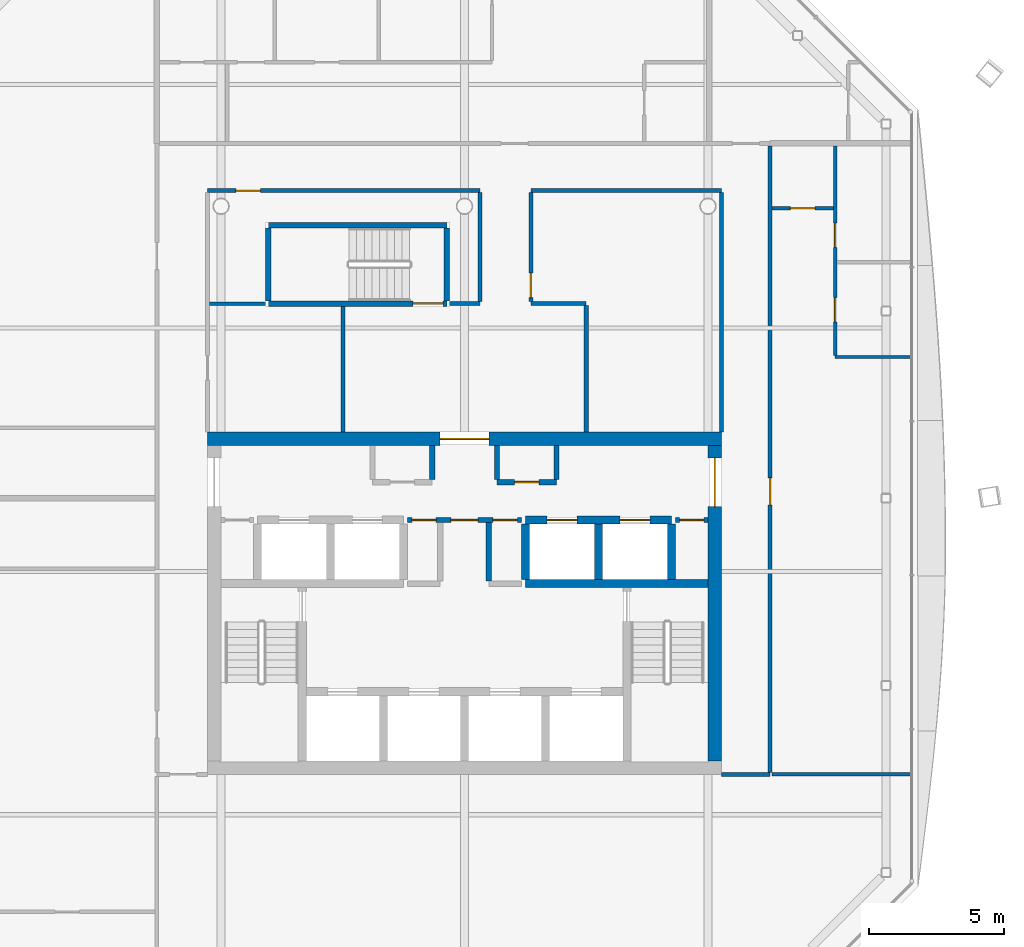
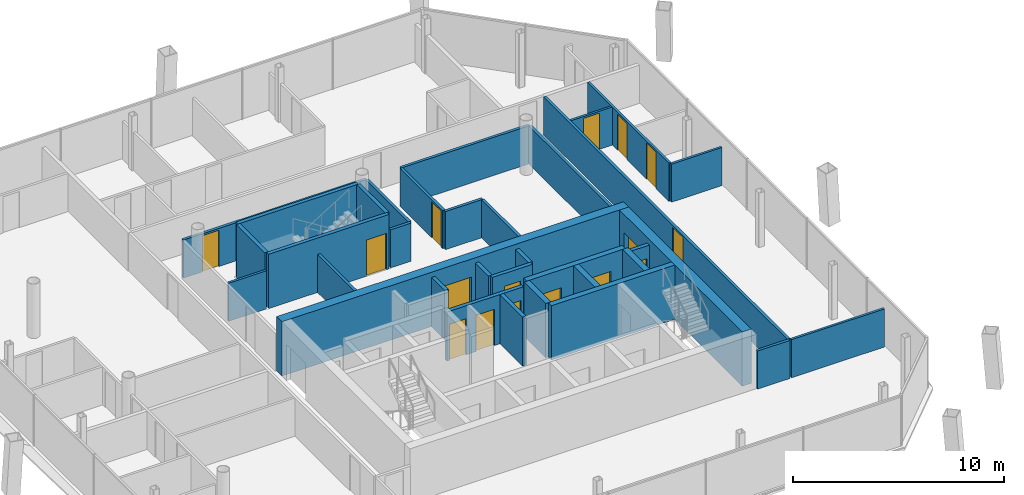
# One storey, part 14 of 19: 34 walls, 16 doors, 16 openings.
"""IFC4 building model written with IfcOpenShell, lengths in metres."""

from ifc_helpers import new_model, si_unit, direction, frame, frame_2d, origin, place, context, subcontext, project, spatial, rectangle, extrude, material, layer, layer_set, type_object, element, fill, save


model = new_model("IFC4")

# Units and contexts
model_context = context("Model", 3, precision=1e-05, world=origin(), true_north=direction((0.0, 1.0)))
body_context = subcontext(model_context, "Body", "Model", "MODEL_VIEW")
ifc_project = project(units=[si_unit("LENGTHUNIT", "METRE"), si_unit("AREAUNIT", "SQUARE_METRE"), si_unit("VOLUMEUNIT", "CUBIC_METRE"), si_unit("PLANEANGLEUNIT", "RADIAN"), si_unit("MASSUNIT", "GRAM", prefix="KILO")], contexts=[model_context])

# Site, building, storey
site_placement = place(None, origin())
site = spatial("IfcSite", under=ifc_project, at=site_placement, CompositionType="ELEMENT")
building_placement = place(site_placement, origin())
building = spatial("IfcBuilding", under=site, at=building_placement, Name="Tskaro Facet Tower", CompositionType="ELEMENT")
storey_placement = place(building_placement, frame((0.0, 0.0, 203.699951171875)))
storey = spatial("IfcBuildingStorey", under=building, at=storey_placement, Name="L52", CompositionType="ELEMENT", Elevation=203.699951171875)

# Wall
ifc_material_1 = material(Name="Concrete C60/75", Category="concrete")
ifc_layer_1 = layer(ifc_material_1, 0.300048828125, Name="Concrete C60/75")
ifc_layer_set_1 = layer_set([ifc_layer_1], Name="Concrete C60/75")
wall_type_1 = type_object("IfcWallType", Name="CORE-SHAFT", PredefinedType="SHEAR", material=ifc_layer_set_1)
wall_1_placement = place(storey_placement, frame((2.25, -4.949951171875, 0.0), z_axis=(0.0, 0.0, 1.0), x_axis=(1.0, 0.0, 0.0)))
element("IfcWall", 1, at=wall_1_placement, inside=storey, type_object=wall_type_1, Name="Shaft wall W012", PredefinedType="SHEAR", context=body_context, shape_type="SweptSolid", body=[
    extrude(rectangle(XDim=6.75, YDim=0.300048828125, at=frame_2d((3.375, 0.0))), origin(), (0.0, 0.0, 1.0), 3.150146484375),
])

# Wall, openings, doors
wall_2_placement = place(storey_placement, frame((2.25, -2.60009765625, 0.0), z_axis=(0.0, 0.0, 1.0), x_axis=(1.0, 0.0, 0.0)))
wall_2 = element("IfcWall", 2, at=wall_2_placement, inside=storey, type_object=wall_type_1, Name="Shaft wall W017", PredefinedType="SHEAR", context=body_context, shape_type="SweptSolid", body=[
    extrude(rectangle(XDim=5.39990234375, YDim=0.300048828125, at=frame_2d((2.699951171875, 0.0))), origin(), (0.0, 0.0, 1.0), 3.150146484375),
])
opening_1_placement = place(wall_2_placement, frame((0.800048828125, 0.0, 0.0)))
opening_1 = element("IfcOpeningElement", 3, at=opening_1_placement, cuts=wall_2, Name="Opening LD-HB3", PredefinedType="OPENING", context=body_context, shape_type="SweptSolid", body=[
    extrude(rectangle(XDim=1.10009765625, YDim=2.10009765625, at=frame_2d((0.550048828125, 1.050048828125))), frame((0.0, 0.159912109375, 0.0), z_axis=(0.0, -1.0, 0.0), x_axis=(1.0, 0.0, 0.0)), (0.0, 0.0, 1.0), 0.320068359375),
])
opening_2_placement = place(wall_2_placement, frame((3.5, 0.0, 0.0)))
opening_2 = element("IfcOpeningElement", 4, at=opening_2_placement, cuts=wall_2, Name="Opening LD-HB4", PredefinedType="OPENING", context=body_context, shape_type="SweptSolid", body=[
    extrude(rectangle(XDim=1.10009765625, YDim=2.10009765625, at=frame_2d((0.550048828125, 1.050048828125))), frame((0.0, 0.159912109375, 0.0), z_axis=(0.0, -1.0, 0.0), x_axis=(1.0, 0.0, 0.0)), (0.0, 0.0, 1.0), 0.320068359375),
])
ifc_material_2 = material(Name="Stainless steel", Category="steel")
door_type_1 = type_object("IfcDoorType", Name="D-LANDING", OperationType="NOTDEFINED", PredefinedType="DOOR", material=ifc_material_2)
door_1_placement = place(opening_1_placement, origin())
door_1 = element("IfcDoor", 5, at=door_1_placement, inside=storey, type_object=door_type_1, Name="Landing door HB3", OperationType="DOUBLE_DOOR_SLIDING", OverallHeight=2.10009765625, OverallWidth=1.10009765625, PredefinedType="DOOR", context=body_context, shape_type="SweptSolid", body=[
    extrude(rectangle(XDim=1.10009765625, YDim=2.10009765625, at=frame_2d((0.550048828125, 1.050048828125))), frame((0.0, 0.02490234375, 0.0), z_axis=(0.0, -1.0, 0.0), x_axis=(1.0, 0.0, 0.0)), (0.0, 0.0, 1.0), 0.050048828125),
])
fill(opening_1, door_1)
door_2_placement = place(opening_2_placement, origin())
door_2 = element("IfcDoor", 6, at=door_2_placement, inside=storey, type_object=door_type_1, Name="Landing door HB4", OperationType="DOUBLE_DOOR_SLIDING", OverallHeight=2.10009765625, OverallWidth=1.10009765625, PredefinedType="DOOR", context=body_context, shape_type="SweptSolid", body=[
    extrude(rectangle(XDim=1.10009765625, YDim=2.10009765625, at=frame_2d((0.550048828125, 1.050048828125))), frame((0.0, 0.02490234375, 0.0), z_axis=(0.0, -1.0, 0.0), x_axis=(1.0, 0.0, 0.0)), (0.0, 0.0, 1.0), 0.050048828125),
])
fill(opening_2, door_2)

# Walls
for number, where, z_axis, x_axis, name in (
    (7, (2.25, -4.800048828125, 0.0), (0.0, 0.0, 1.0), (0.0, 1.0, 0.0), "Shaft wall W071"),
    (8, (4.949951171875, -4.800048828125, 0.0), (0.0, 0.0, 1.0), (0.0, 1.0, 0.0), "Shaft wall W076"),
    (9, (7.64990234375, -4.800048828125, 0.0), (0.0, 0.0, 1.0), (0.0, 1.0, 0.0), "Shaft wall W079"),
):
    element("IfcWall", number, at=place(storey_placement, frame(where, z_axis=z_axis, x_axis=x_axis)), inside=storey, type_object=wall_type_1, Name=name, PredefinedType="SHEAR", context=body_context, shape_type="SweptSolid", body=[
        extrude(rectangle(XDim=2.050048828125, YDim=0.300048828125, at=frame_2d((1.02490234375, 0.0))), origin(), (0.0, 0.0, 1.0), 3.150146484375),
    ])

# Wall, openings, doors
ifc_material_3 = material(Name="Concrete C20/25", Category="concrete")
ifc_layer_2 = layer(ifc_material_3, 0.199951171875, Name="Concrete C20/25")
ifc_layer_set_2 = layer_set([ifc_layer_2], Name="Concrete C20/25")
wall_type_2 = type_object("IfcWallType", Name="CORE-WALL", PredefinedType="SOLIDWALL", material=ifc_layer_set_2)
wall_3_placement = place(storey_placement, frame((2.10009765625, -2.60009765625, 0.0), z_axis=(0.0, 0.0, 1.0), x_axis=(-1.0, 0.0, 0.0)))
wall_3 = element("IfcWall", 10, at=wall_3_placement, inside=storey, type_object=wall_type_2, Name="Core room wall W016", PredefinedType="SOLIDWALL", context=body_context, shape_type="SweptSolid", body=[
    extrude(rectangle(XDim=4.2001953125, YDim=0.199951171875, at=frame_2d((2.10009765625, 0.0))), origin(), (0.0, 0.0, 1.0), 2.85009765625),
])
opening_3_placement = place(wall_3_placement, frame((1.60009765625, 0.0, 0.0)))
opening_3 = element("IfcOpeningElement", 11, at=opening_3_placement, cuts=wall_3, Name="Opening FL-D1", PredefinedType="OPENING", context=body_context, shape_type="SweptSolid", body=[
    extrude(rectangle(XDim=1.0, YDim=2.10009765625, at=frame_2d((0.5, 1.050048828125))), frame((0.0, 0.10986328125, 0.0), z_axis=(0.0, -1.0, 0.0), x_axis=(1.0, 0.0, 0.0)), (0.0, 0.0, 1.0), 0.219970703125),
])
opening_4_placement = place(wall_3_placement, frame((3.14990234375, 0.0, 0.0)))
opening_4 = element("IfcOpeningElement", 12, at=opening_4_placement, cuts=wall_3, Name="Opening T15-D08", PredefinedType="OPENING", context=body_context, shape_type="SweptSolid", body=[
    extrude(rectangle(XDim=0.89990234375, YDim=2.10009765625, at=frame_2d((0.449951171875, 1.050048828125))), frame((0.0, 0.10986328125, 0.0), z_axis=(0.0, -1.0, 0.0), x_axis=(1.0, 0.0, 0.0)), (0.0, 0.0, 1.0), 0.219970703125),
])
opening_5_placement = place(wall_3_placement, frame((0.14990234375, 0.0, 0.0)))
opening_5 = element("IfcOpeningElement", 13, at=opening_5_placement, cuts=wall_3, Name="Opening T15-D09", PredefinedType="OPENING", context=body_context, shape_type="SweptSolid", body=[
    extrude(rectangle(XDim=0.89990234375, YDim=2.10009765625, at=frame_2d((0.449951171875, 1.050048828125))), frame((0.0, 0.10986328125, 0.0), z_axis=(0.0, -1.0, 0.0), x_axis=(1.0, 0.0, 0.0)), (0.0, 0.0, 1.0), 0.219970703125),
])
ifc_material_4 = material(Name="Steel", Category="steel")
door_type_2 = type_object("IfcDoorType", Name="D-LOBBY", OperationType="NOTDEFINED", PredefinedType="DOOR", material=ifc_material_4)
door_3_placement = place(opening_3_placement, origin())
door_3 = element("IfcDoor", 14, at=door_3_placement, inside=storey, type_object=door_type_2, Name="Lobby door FL", OperationType="SINGLE_SWING_RIGHT", OverallHeight=2.10009765625, OverallWidth=1.0, PredefinedType="DOOR", context=body_context, shape_type="SweptSolid", body=[
    extrude(rectangle(XDim=1.0, YDim=2.10009765625, at=frame_2d((0.5, 1.050048828125))), frame((0.0, 0.02490234375, 0.0), z_axis=(0.0, -1.0, 0.0), x_axis=(1.0, 0.0, 0.0)), (0.0, 0.0, 1.0), 0.050048828125),
])
fill(opening_3, door_3)
ifc_material_5 = material(Name="Timber", Category="wood")
door_type_3 = type_object("IfcDoorType", Name="D-ROOM", OperationType="NOTDEFINED", PredefinedType="DOOR", material=ifc_material_5)
door_4_placement = place(opening_4_placement, origin())
door_4 = element("IfcDoor", 15, at=door_4_placement, inside=storey, type_object=door_type_3, Name="Door T15-D08", OperationType="SINGLE_SWING_RIGHT", OverallHeight=2.10009765625, OverallWidth=0.89990234375, PredefinedType="DOOR", context=body_context, shape_type="SweptSolid", body=[
    extrude(rectangle(XDim=0.89990234375, YDim=2.10009765625, at=frame_2d((0.449951171875, 1.050048828125))), frame((0.0, 0.02490234375, 0.0), z_axis=(0.0, -1.0, 0.0), x_axis=(1.0, 0.0, 0.0)), (0.0, 0.0, 1.0), 0.050048828125),
])
fill(opening_4, door_4)
door_5_placement = place(opening_5_placement, origin())
door_5 = element("IfcDoor", 16, at=door_5_placement, inside=storey, type_object=door_type_3, Name="Door T15-D09", OperationType="SINGLE_SWING_RIGHT", OverallHeight=2.10009765625, OverallWidth=0.89990234375, PredefinedType="DOOR", context=body_context, shape_type="SweptSolid", body=[
    extrude(rectangle(XDim=0.89990234375, YDim=2.10009765625, at=frame_2d((0.449951171875, 1.050048828125))), frame((0.0, 0.02490234375, 0.0), z_axis=(0.0, -1.0, 0.0), x_axis=(1.0, 0.0, 0.0)), (0.0, 0.0, 1.0), 0.050048828125),
])
fill(opening_5, door_5)

# Wall, opening, door
wall_4_placement = place(storey_placement, frame((9.0, -2.60009765625, 0.0), z_axis=(0.0, 0.0, 1.0), x_axis=(-1.0, 0.0, 0.0)))
wall_4 = element("IfcWall", 17, at=wall_4_placement, inside=storey, type_object=wall_type_2, Name="Core room wall W018", PredefinedType="SOLIDWALL", context=body_context, shape_type="SweptSolid", body=[
    extrude(rectangle(XDim=1.199951171875, YDim=0.199951171875, at=frame_2d((0.60009765625, 0.0))), origin(), (0.0, 0.0, 1.0), 2.85009765625),
])
opening_6_placement = place(wall_4_placement, frame((0.14990234375, 0.0, 0.0)))
opening_6 = element("IfcOpeningElement", 18, at=opening_6_placement, cuts=wall_4, Name="Opening T15-D10", PredefinedType="OPENING", context=body_context, shape_type="SweptSolid", body=[
    extrude(rectangle(XDim=0.89990234375, YDim=2.10009765625, at=frame_2d((0.449951171875, 1.050048828125))), frame((0.0, 0.10986328125, 0.0), z_axis=(0.0, -1.0, 0.0), x_axis=(1.0, 0.0, 0.0)), (0.0, 0.0, 1.0), 0.219970703125),
])
door_6_placement = place(opening_6_placement, origin())
door_6 = element("IfcDoor", 19, at=door_6_placement, inside=storey, type_object=door_type_3, Name="Door T15-D10", OperationType="SINGLE_SWING_RIGHT", OverallHeight=2.10009765625, OverallWidth=0.89990234375, PredefinedType="DOOR", context=body_context, shape_type="SweptSolid", body=[
    extrude(rectangle(XDim=0.89990234375, YDim=2.10009765625, at=frame_2d((0.449951171875, 1.050048828125))), frame((0.0, 0.02490234375, 0.0), z_axis=(0.0, -1.0, 0.0), x_axis=(1.0, 0.0, 0.0)), (0.0, 0.0, 1.0), 0.050048828125),
])
fill(opening_6, door_6)

wall_5_placement = place(storey_placement, frame((1.199951171875, -1.199951171875, 0.0), z_axis=(0.0, 0.0, 1.0), x_axis=(1.0, 0.0, 0.0)))
wall_5 = element("IfcWall", 20, at=wall_5_placement, inside=storey, type_object=wall_type_2, Name="Core room wall W022", PredefinedType="SOLIDWALL", context=body_context, shape_type="SweptSolid", body=[
    extrude(rectangle(XDim=2.199951171875, YDim=0.199951171875, at=frame_2d((1.10009765625, 0.0))), origin(), (0.0, 0.0, 1.0), 2.85009765625),
])
opening_7_placement = place(wall_5_placement, frame((0.64990234375, 0.0, 0.0)))
opening_7 = element("IfcOpeningElement", 21, at=opening_7_placement, cuts=wall_5, Name="Opening T15-D14", PredefinedType="OPENING", context=body_context, shape_type="SweptSolid", body=[
    extrude(rectangle(XDim=0.89990234375, YDim=2.10009765625, at=frame_2d((0.449951171875, 1.050048828125))), frame((0.0, 0.10986328125, 0.0), z_axis=(0.0, -1.0, 0.0), x_axis=(1.0, 0.0, 0.0)), (0.0, 0.0, 1.0), 0.219970703125),
])
door_7_placement = place(opening_7_placement, origin())
door_7 = element("IfcDoor", 22, at=door_7_placement, inside=storey, type_object=door_type_3, Name="Door T15-D14", OperationType="SINGLE_SWING_LEFT", OverallHeight=2.10009765625, OverallWidth=0.89990234375, PredefinedType="DOOR", context=body_context, shape_type="SweptSolid", body=[
    extrude(rectangle(XDim=0.89990234375, YDim=2.10009765625, at=frame_2d((0.449951171875, 1.050048828125))), frame((0.0, 0.02490234375, 0.0), z_axis=(0.0, -1.0, 0.0), x_axis=(1.0, 0.0, 0.0)), (0.0, 0.0, 1.0), 0.050048828125),
])
fill(opening_7, door_7)

# Walls
wall_6_placement = place(storey_placement, frame((-1.199951171875, -1.10009765625, 0.0), z_axis=(0.0, 0.0, 1.0), x_axis=(0.0, 1.0, 0.0)))
element("IfcWall", 23, at=wall_6_placement, inside=storey, type_object=wall_type_2, Name="Core room wall W062", PredefinedType="SOLIDWALL", context=body_context, shape_type="SweptSolid", body=[
    extrude(rectangle(XDim=1.25, YDim=0.199951171875, at=frame_2d((0.625, 0.0))), origin(), (0.0, 0.0, 1.0), 2.85009765625),
])
wall_7_placement = place(storey_placement, frame((0.89990234375, -4.85009765625, 0.0), z_axis=(0.0, 0.0, 1.0), x_axis=(0.0, 1.0, 0.0)))
element("IfcWall", 24, at=wall_7_placement, inside=storey, type_object=wall_type_2, Name="Core room wall W067", PredefinedType="SOLIDWALL", context=body_context, shape_type="SweptSolid", body=[
    extrude(rectangle(XDim=2.150146484375, YDim=0.199951171875, at=frame_2d((1.0751953125, 0.0))), origin(), (0.0, 0.0, 1.0), 2.85009765625),
])
for number, where, z_axis, x_axis, name in (
    (25, (1.199951171875, -1.10009765625, 0.0), (0.0, 0.0, 1.0), (0.0, 1.0, 0.0), "Core room wall W070"),
    (26, (3.39990234375, -1.10009765625, 0.0), (0.0, 0.0, 1.0), (0.0, 1.0, 0.0), "Core room wall W074"),
):
    element("IfcWall", number, at=place(storey_placement, frame(where, z_axis=z_axis, x_axis=x_axis)), inside=storey, type_object=wall_type_2, Name=name, PredefinedType="SOLIDWALL", context=body_context, shape_type="SweptSolid", body=[
        extrude(rectangle(XDim=1.25, YDim=0.199951171875, at=frame_2d((0.625, 0.0))), origin(), (0.0, 0.0, 1.0), 2.85009765625),
    ])

# Wall, opening, door
ifc_material_6 = material(Name="Concrete C40/50", Category="concrete")
ifc_layer_3 = layer(ifc_material_6, 0.5, Name="Concrete C40/50")
ifc_layer_set_3 = layer_set([ifc_layer_3], Name="Concrete C40/50")
wall_type_3 = type_object("IfcWallType", Name="Core wall 500", PredefinedType="SHEAR", material=ifc_layer_set_3)
wall_8_placement = place(storey_placement, frame((-9.5, 0.39990234375, 0.0), z_axis=(0.0, 0.0, 1.0), x_axis=(1.0, 0.0, 0.0)))
wall_8 = element("IfcWall", 27, at=wall_8_placement, inside=storey, type_object=wall_type_3, Name="Core wall CW-Z3N", PredefinedType="SHEAR", context=body_context, shape_type="SweptSolid", body=[
    extrude(rectangle(XDim=19.0, YDim=0.5, at=frame_2d((9.5, 0.0))), origin(), (0.0, 0.0, 1.0), 3.150146484375),
])
opening_8_placement = place(wall_8_placement, frame((8.60009765625, 0.0, 0.0)))
opening_8 = element("IfcOpeningElement", 28, at=opening_8_placement, cuts=wall_8, Name="Opening T15-D17", PredefinedType="OPENING", context=body_context, shape_type="SweptSolid", body=[
    extrude(rectangle(XDim=1.800048828125, YDim=2.10009765625, at=frame_2d((0.89990234375, 1.050048828125))), frame((0.0, 0.260009765625, 0.0), z_axis=(0.0, -1.0, 0.0), x_axis=(1.0, 0.0, 0.0)), (0.0, 0.0, 1.0), 0.52001953125),
])
door_type_4 = type_object("IfcDoorType", Name="D-CORE-PAIR", OperationType="NOTDEFINED", PredefinedType="DOOR", material=ifc_material_4)
door_8_placement = place(opening_8_placement, origin())
door_8 = element("IfcDoor", 29, at=door_8_placement, inside=storey, type_object=door_type_4, Name="Door T15-D17", OperationType="DOUBLE_DOOR_SINGLE_SWING", OverallHeight=2.10009765625, OverallWidth=1.800048828125, PredefinedType="DOOR", context=body_context, shape_type="SweptSolid", body=[
    extrude(rectangle(XDim=1.800048828125, YDim=2.10009765625, at=frame_2d((0.89990234375, 1.050048828125))), frame((0.0, 0.02490234375, 0.0), z_axis=(0.0, -1.0, 0.0), x_axis=(1.0, 0.0, 0.0)), (0.0, 0.0, 1.0), 0.050048828125),
])
fill(opening_8, door_8)

wall_9_placement = place(storey_placement, frame((9.25, -11.5, 0.0), z_axis=(0.0, 0.0, 1.0), x_axis=(0.0, 1.0, 0.0)))
wall_9 = element("IfcWall", 30, at=wall_9_placement, inside=storey, type_object=wall_type_3, Name="Core wall CW-Z3E", PredefinedType="SHEAR", context=body_context, shape_type="SweptSolid", body=[
    extrude(rectangle(XDim=11.64990234375, YDim=0.5, at=frame_2d((5.824951171875, 0.0))), origin(), (0.0, 0.0, 1.0), 3.150146484375),
])
opening_9_placement = place(wall_9_placement, frame((9.39990234375, 0.0, 0.0)))
opening_9 = element("IfcOpeningElement", 31, at=opening_9_placement, cuts=wall_9, Name="Opening T15-D15", PredefinedType="OPENING", context=body_context, shape_type="SweptSolid", body=[
    extrude(rectangle(XDim=1.800048828125, YDim=2.10009765625, at=frame_2d((0.89990234375, 1.050048828125))), frame((0.0, 0.260009765625, 0.0), z_axis=(0.0, -1.0, 0.0), x_axis=(1.0, 0.0, 0.0)), (0.0, 0.0, 1.0), 0.52001953125),
])
door_9_placement = place(opening_9_placement, origin())
door_9 = element("IfcDoor", 32, at=door_9_placement, inside=storey, type_object=door_type_4, Name="Door T15-D15", OperationType="DOUBLE_DOOR_SINGLE_SWING", OverallHeight=2.10009765625, OverallWidth=1.800048828125, PredefinedType="DOOR", context=body_context, shape_type="SweptSolid", body=[
    extrude(rectangle(XDim=1.800048828125, YDim=2.10009765625, at=frame_2d((0.89990234375, 1.050048828125))), frame((0.0, 0.02490234375, 0.0), z_axis=(0.0, -1.0, 0.0), x_axis=(1.0, 0.0, 0.0)), (0.0, 0.0, 1.0), 0.050048828125),
])
fill(opening_9, door_9)

# Walls
ifc_material_7 = material(Name="Gypsum board on steel studs", Category="steel")
ifc_layer_4 = layer(ifc_material_7, 0.125, Name="Gypsum board on steel studs")
ifc_layer_set_4 = layer_set([ifc_layer_4], Name="Gypsum board on steel studs")
wall_type_4 = type_object("IfcWallType", Name="PART", PredefinedType="PARTITIONING", material=ifc_layer_set_4)
wall_10_placement = place(storey_placement, frame((11.375, -12.0, 0.0), z_axis=(0.0, 0.0, 1.0), x_axis=(1.0, 0.0, 0.0)))
element("IfcWall", 33, at=wall_10_placement, inside=storey, type_object=wall_type_4, Name="Partition W004", PredefinedType="PARTITIONING", context=body_context, shape_type="SweptSolid", body=[
    extrude(rectangle(XDim=5.10791015625, YDim=0.125, at=frame_2d((2.553955078125, 0.0))), origin(), (0.0, 0.0, 1.0), 2.2099609375),
])
wall_11_placement = place(storey_placement, frame((13.699951171875, 3.425048828125, 0.0), z_axis=(0.0, 0.0, 1.0), x_axis=(1.0, 0.0, 0.0)))
element("IfcWall", 34, at=wall_11_placement, inside=storey, type_object=wall_type_4, Name="Partition W025", PredefinedType="PARTITIONING", context=body_context, shape_type="SweptSolid", body=[
    extrude(rectangle(XDim=2.782958984375, YDim=0.125, at=frame_2d((1.3916015625, 0.0))), origin(), (0.0, 0.0, 1.0), 2.2099609375),
])
wall_12_placement = place(storey_placement, frame((-9.425048828125, 5.39990234375, 0.0), z_axis=(0.0, 0.0, 1.0), x_axis=(1.0, 0.0, 0.0)))
element("IfcWall", 35, at=wall_12_placement, inside=storey, type_object=wall_type_4, Name="Partition W028", PredefinedType="PARTITIONING", context=body_context, shape_type="SweptSolid", body=[
    extrude(rectangle(XDim=2.074951171875, YDim=0.125, at=frame_2d((1.03759765625, 0.0))), origin(), (0.0, 0.0, 1.0), 2.2099609375),
])

# Wall, opening, door
wall_13_placement = place(storey_placement, frame((11.375, 8.925048828125, 0.0), z_axis=(0.0, 0.0, 1.0), x_axis=(1.0, 0.0, 0.0)))
wall_13 = element("IfcWall", 36, at=wall_13_placement, inside=storey, type_object=wall_type_4, Name="Partition W034", PredefinedType="PARTITIONING", context=body_context, shape_type="SweptSolid", body=[
    extrude(rectangle(XDim=2.262451171875, YDim=0.125, at=frame_2d((1.13134765625, 0.0))), origin(), (0.0, 0.0, 1.0), 2.2099609375),
])
opening_10_placement = place(wall_13_placement, frame((0.675048828125, 0.0, 0.0)))
opening_10 = element("IfcOpeningElement", 37, at=opening_10_placement, cuts=wall_13, Name="Opening T15-D25", PredefinedType="OPENING", context=body_context, shape_type="SweptSolid", body=[
    extrude(rectangle(XDim=0.89990234375, YDim=2.10009765625, at=frame_2d((0.449951171875, 1.050048828125))), frame((0.0, 0.072509765625, 0.0), z_axis=(0.0, -1.0, 0.0), x_axis=(1.0, 0.0, 0.0)), (0.0, 0.0, 1.0), 0.14501953125),
])
door_10_placement = place(opening_10_placement, origin())
door_10 = element("IfcDoor", 38, at=door_10_placement, inside=storey, type_object=door_type_3, Name="Door T15-D25", OperationType="SINGLE_SWING_LEFT", OverallHeight=2.10009765625, OverallWidth=0.89990234375, PredefinedType="DOOR", context=body_context, shape_type="SweptSolid", body=[
    extrude(rectangle(XDim=0.89990234375, YDim=2.10009765625, at=frame_2d((0.449951171875, 1.050048828125))), frame((0.0, 0.02490234375, 0.0), z_axis=(0.0, -1.0, 0.0), x_axis=(1.0, 0.0, 0.0)), (0.0, 0.0, 1.0), 0.050048828125),
])
fill(opening_10, door_10)

# Wall, openings, doors
wall_14_placement = place(storey_placement, frame((13.699951171875, 11.22509765625, 0.0), z_axis=(0.0, 0.0, 1.0), x_axis=(0.0, -1.0, 0.0)))
wall_14 = element("IfcWall", 39, at=wall_14_placement, inside=storey, type_object=wall_type_4, Name="Partition W084", PredefinedType="PARTITIONING", context=body_context, shape_type="SweptSolid", body=[
    extrude(rectangle(XDim=7.737548828125, YDim=0.125, at=frame_2d((3.86865234375, 0.0))), origin(), (0.0, 0.0, 1.0), 2.2099609375),
])
opening_11_placement = place(wall_14_placement, frame((5.60009765625, 0.0, 0.0)))
opening_11 = element("IfcOpeningElement", 40, at=opening_11_placement, cuts=wall_14, Name="Opening T15-D21", PredefinedType="OPENING", context=body_context, shape_type="SweptSolid", body=[
    extrude(rectangle(XDim=0.89990234375, YDim=2.10009765625, at=frame_2d((0.449951171875, 1.050048828125))), frame((0.0, 0.072509765625, 0.0), z_axis=(0.0, -1.0, 0.0), x_axis=(1.0, 0.0, 0.0)), (0.0, 0.0, 1.0), 0.14501953125),
])
opening_12_placement = place(wall_14_placement, frame((2.85009765625, 0.0, 0.0)))
opening_12 = element("IfcOpeningElement", 41, at=opening_12_placement, cuts=wall_14, Name="Opening T15-D24", PredefinedType="OPENING", context=body_context, shape_type="SweptSolid", body=[
    extrude(rectangle(XDim=0.89990234375, YDim=2.10009765625, at=frame_2d((0.449951171875, 1.050048828125))), frame((0.0, 0.072509765625, 0.0), z_axis=(0.0, -1.0, 0.0), x_axis=(1.0, 0.0, 0.0)), (0.0, 0.0, 1.0), 0.14501953125),
])
door_11_placement = place(opening_11_placement, origin())
door_11 = element("IfcDoor", 42, at=door_11_placement, inside=storey, type_object=door_type_3, Name="Door T15-D21", OperationType="SINGLE_SWING_RIGHT", OverallHeight=2.10009765625, OverallWidth=0.89990234375, PredefinedType="DOOR", context=body_context, shape_type="SweptSolid", body=[
    extrude(rectangle(XDim=0.89990234375, YDim=2.10009765625, at=frame_2d((0.449951171875, 1.050048828125))), frame((0.0, 0.02490234375, 0.0), z_axis=(0.0, -1.0, 0.0), x_axis=(1.0, 0.0, 0.0)), (0.0, 0.0, 1.0), 0.050048828125),
])
fill(opening_11, door_11)
door_12_placement = place(opening_12_placement, origin())
door_12 = element("IfcDoor", 43, at=door_12_placement, inside=storey, type_object=door_type_3, Name="Door T15-D24", OperationType="SINGLE_SWING_LEFT", OverallHeight=2.10009765625, OverallWidth=0.89990234375, PredefinedType="DOOR", context=body_context, shape_type="SweptSolid", body=[
    extrude(rectangle(XDim=0.89990234375, YDim=2.10009765625, at=frame_2d((0.449951171875, 1.050048828125))), frame((0.0, 0.02490234375, 0.0), z_axis=(0.0, -1.0, 0.0), x_axis=(1.0, 0.0, 0.0)), (0.0, 0.0, 1.0), 0.050048828125),
])
fill(opening_12, door_12)

# Walls
ifc_layer_5 = layer(ifc_material_7, 0.14990234375, Name="Gypsum board on steel studs")
ifc_layer_set_5 = layer_set([ifc_layer_5], Name="Gypsum board on steel studs")
wall_type_5 = type_object("IfcWallType", Name="PART-CORR", PredefinedType="PARTITIONING", material=ifc_layer_set_5)
wall_15_placement = place(storey_placement, frame((9.5, -12.0, 0.0), z_axis=(0.0, 0.0, 1.0), x_axis=(1.0, 0.0, 0.0)))
element("IfcWall", 44, at=wall_15_placement, inside=storey, type_object=wall_type_5, Name="Corridor wall W003", PredefinedType="PARTITIONING", context=body_context, shape_type="SweptSolid", body=[
    extrude(rectangle(XDim=1.800048828125, YDim=0.14990234375, at=frame_2d((0.89990234375, 0.0))), origin(), (0.0, 0.0, 1.0), 2.2099609375),
])
wall_16_placement = place(storey_placement, frame((-0.550048828125, 5.39990234375, 0.0), z_axis=(0.0, 0.0, 1.0), x_axis=(1.0, 0.0, 0.0)))
element("IfcWall", 45, at=wall_16_placement, inside=storey, type_object=wall_type_5, Name="Corridor wall W030", PredefinedType="PARTITIONING", context=body_context, shape_type="SweptSolid", body=[
    extrude(rectangle(XDim=1.125, YDim=0.14990234375, at=frame_2d((0.5625, 0.0))), origin(), (0.0, 0.0, 1.0), 2.2099609375),
])
wall_17_placement = place(storey_placement, frame((2.449951171875, 5.39990234375, 0.0), z_axis=(0.0, 0.0, 1.0), x_axis=(1.0, 0.0, 0.0)))
element("IfcWall", 46, at=wall_17_placement, inside=storey, type_object=wall_type_5, Name="Corridor wall W031", PredefinedType="PARTITIONING", context=body_context, shape_type="SweptSolid", body=[
    extrude(rectangle(XDim=2.050048828125, YDim=0.14990234375, at=frame_2d((1.02490234375, 0.0))), origin(), (0.0, 0.0, 1.0), 2.2099609375),
])

# Wall, opening, door
wall_18_placement = place(storey_placement, frame((0.574951171875, 9.574951171875, 0.0), z_axis=(0.0, 0.0, 1.0), x_axis=(-1.0, 0.0, 0.0)))
wall_18 = element("IfcWall", 47, at=wall_18_placement, inside=storey, type_object=wall_type_5, Name="Corridor wall W035", PredefinedType="PARTITIONING", context=body_context, shape_type="SweptSolid", body=[
    extrude(rectangle(XDim=10.074951171875, YDim=0.14990234375, at=frame_2d((5.03759765625, 0.0))), origin(), (0.0, 0.0, 1.0), 2.2099609375),
])
opening_13_placement = place(wall_18_placement, frame((8.125, 0.0, 0.0)))
opening_13 = element("IfcOpeningElement", 48, at=opening_13_placement, cuts=wall_18, Name="Opening T15-D26", PredefinedType="OPENING", context=body_context, shape_type="SweptSolid", body=[
    extrude(rectangle(XDim=0.89990234375, YDim=2.10009765625, at=frame_2d((0.449951171875, 1.050048828125))), frame((0.0, 0.0849609375, 0.0), z_axis=(0.0, -1.0, 0.0), x_axis=(1.0, 0.0, 0.0)), (0.0, 0.0, 1.0), 0.169921875),
])
door_13_placement = place(opening_13_placement, origin())
door_13 = element("IfcDoor", 49, at=door_13_placement, inside=storey, type_object=door_type_3, Name="Door T15-D26", OperationType="SINGLE_SWING_RIGHT", OverallHeight=2.10009765625, OverallWidth=0.89990234375, PredefinedType="DOOR", context=body_context, shape_type="SweptSolid", body=[
    extrude(rectangle(XDim=0.89990234375, YDim=2.10009765625, at=frame_2d((0.449951171875, 1.050048828125))), frame((0.0, 0.02490234375, 0.0), z_axis=(0.0, -1.0, 0.0), x_axis=(1.0, 0.0, 0.0)), (0.0, 0.0, 1.0), 0.050048828125),
])
fill(opening_13, door_13)

# Walls
wall_19_placement = place(storey_placement, frame((2.449951171875, 9.574951171875, 0.0), z_axis=(0.0, 0.0, 1.0), x_axis=(1.0, 0.0, 0.0)))
element("IfcWall", 50, at=wall_19_placement, inside=storey, type_object=wall_type_5, Name="Corridor wall W036", PredefinedType="PARTITIONING", context=body_context, shape_type="SweptSolid", body=[
    extrude(rectangle(XDim=7.050048828125, YDim=0.14990234375, at=frame_2d((3.52490234375, 0.0))), origin(), (0.0, 0.0, 1.0), 2.2099609375),
])
wall_20_placement = place(storey_placement, frame((-4.5, 0.64990234375, 0.0), z_axis=(0.0, 0.0, 1.0), x_axis=(0.0, 1.0, 0.0)))
element("IfcWall", 51, at=wall_20_placement, inside=storey, type_object=wall_type_5, Name="Corridor wall W057", PredefinedType="PARTITIONING", context=body_context, shape_type="SweptSolid", body=[
    extrude(rectangle(XDim=4.650146484375, YDim=0.14990234375, at=frame_2d((2.3251953125, 0.0))), origin(), (0.0, 0.0, 1.0), 2.2099609375),
])
wall_21_placement = place(storey_placement, frame((0.574951171875, 5.47509765625, 0.0), z_axis=(0.0, 0.0, 1.0), x_axis=(0.0, 1.0, 0.0)))
element("IfcWall", 52, at=wall_21_placement, inside=storey, type_object=wall_type_5, Name="Corridor wall W066", PredefinedType="PARTITIONING", context=body_context, shape_type="SweptSolid", body=[
    extrude(rectangle(XDim=4.02490234375, YDim=0.14990234375, at=frame_2d((2.012451171875, 0.0))), origin(), (0.0, 0.0, 1.0), 2.2099609375),
])

# Wall, opening, door
wall_22_placement = place(storey_placement, frame((2.449951171875, 9.5, 0.0), z_axis=(0.0, 0.0, 1.0), x_axis=(0.0, -1.0, 0.0)))
wall_22 = element("IfcWall", 53, at=wall_22_placement, inside=storey, type_object=wall_type_5, Name="Corridor wall W072", PredefinedType="PARTITIONING", context=body_context, shape_type="SweptSolid", body=[
    extrude(rectangle(XDim=4.02490234375, YDim=0.14990234375, at=frame_2d((2.012451171875, 0.0))), origin(), (0.0, 0.0, 1.0), 2.2099609375),
])
opening_14_placement = place(wall_22_placement, frame((2.97509765625, 0.0, 0.0)))
opening_14 = element("IfcOpeningElement", 54, at=opening_14_placement, cuts=wall_22, Name="Opening T15-D22", PredefinedType="OPENING", context=body_context, shape_type="SweptSolid", body=[
    extrude(rectangle(XDim=0.89990234375, YDim=2.10009765625, at=frame_2d((0.449951171875, 1.050048828125))), frame((0.0, 0.0849609375, 0.0), z_axis=(0.0, -1.0, 0.0), x_axis=(1.0, 0.0, 0.0)), (0.0, 0.0, 1.0), 0.169921875),
])
door_14_placement = place(opening_14_placement, origin())
door_14 = element("IfcDoor", 55, at=door_14_placement, inside=storey, type_object=door_type_3, Name="Door T15-D22", OperationType="SINGLE_SWING_RIGHT", OverallHeight=2.10009765625, OverallWidth=0.89990234375, PredefinedType="DOOR", context=body_context, shape_type="SweptSolid", body=[
    extrude(rectangle(XDim=0.89990234375, YDim=2.10009765625, at=frame_2d((0.449951171875, 1.050048828125))), frame((0.0, 0.02490234375, 0.0), z_axis=(0.0, -1.0, 0.0), x_axis=(1.0, 0.0, 0.0)), (0.0, 0.0, 1.0), 0.050048828125),
])
fill(opening_14, door_14)

# Walls
wall_23_placement = place(storey_placement, frame((4.5, 0.64990234375, 0.0), z_axis=(0.0, 0.0, 1.0), x_axis=(0.0, 1.0, 0.0)))
element("IfcWall", 56, at=wall_23_placement, inside=storey, type_object=wall_type_5, Name="Corridor wall W075", PredefinedType="PARTITIONING", context=body_context, shape_type="SweptSolid", body=[
    extrude(rectangle(XDim=4.675048828125, YDim=0.14990234375, at=frame_2d((2.33740234375, 0.0))), origin(), (0.0, 0.0, 1.0), 2.2099609375),
])
wall_24_placement = place(storey_placement, frame((9.5, 0.64990234375, 0.0), z_axis=(0.0, 0.0, 1.0), x_axis=(0.0, 1.0, 0.0)))
element("IfcWall", 57, at=wall_24_placement, inside=storey, type_object=wall_type_5, Name="Corridor wall W082", PredefinedType="PARTITIONING", context=body_context, shape_type="SweptSolid", body=[
    extrude(rectangle(XDim=8.85009765625, YDim=0.14990234375, at=frame_2d((4.425048828125, 0.0))), origin(), (0.0, 0.0, 1.0), 2.2099609375),
])

# Wall, opening, door
wall_25_placement = place(storey_placement, frame((11.300048828125, 11.22509765625, 0.0), z_axis=(0.0, 0.0, 1.0), x_axis=(0.0, -1.0, 0.0)))
wall_25 = element("IfcWall", 58, at=wall_25_placement, inside=storey, type_object=wall_type_5, Name="Corridor wall W083", PredefinedType="PARTITIONING", context=body_context, shape_type="SweptSolid", body=[
    extrude(rectangle(XDim=23.150146484375, YDim=0.14990234375, at=frame_2d((11.5751953125, 0.0))), origin(), (0.0, 0.0, 1.0), 2.2099609375),
])
opening_15_placement = place(wall_25_placement, frame((12.262451171875, 0.0, 0.0)))
opening_15 = element("IfcOpeningElement", 59, at=opening_15_placement, cuts=wall_25, Name="Opening T15-D11", PredefinedType="OPENING", context=body_context, shape_type="SweptSolid", body=[
    extrude(rectangle(XDim=1.0, YDim=2.10009765625, at=frame_2d((0.5, 1.050048828125))), frame((0.0, 0.0849609375, 0.0), z_axis=(0.0, -1.0, 0.0), x_axis=(1.0, 0.0, 0.0)), (0.0, 0.0, 1.0), 0.169921875),
])
door_type_5 = type_object("IfcDoorType", Name="D-FLAT-ENTRY", OperationType="NOTDEFINED", PredefinedType="DOOR", material=ifc_material_5)
door_15_placement = place(opening_15_placement, origin())
door_15 = element("IfcDoor", 60, at=door_15_placement, inside=storey, type_object=door_type_5, Name="Door T15-D11", OperationType="SINGLE_SWING_RIGHT", OverallHeight=2.10009765625, OverallWidth=1.0, PredefinedType="DOOR", context=body_context, shape_type="SweptSolid", body=[
    extrude(rectangle(XDim=1.0, YDim=2.10009765625, at=frame_2d((0.5, 1.050048828125))), frame((0.0, 0.02490234375, 0.0), z_axis=(0.0, -1.0, 0.0), x_axis=(1.0, 0.0, 0.0)), (0.0, 0.0, 1.0), 0.050048828125),
])
fill(opening_15, door_15)

ifc_layer_6 = layer(ifc_material_1, 0.199951171875, Name="Concrete C60/75")
ifc_layer_set_6 = layer_set([ifc_layer_6], Name="Concrete C60/75")
wall_type_6 = type_object("IfcWallType", Name="STAIR-WALL", PredefinedType="SHEAR", material=ifc_layer_set_6)
wall_26_placement = place(storey_placement, frame((-7.25, 5.39990234375, 0.0), z_axis=(0.0, 0.0, 1.0), x_axis=(1.0, 0.0, 0.0)))
wall_26 = element("IfcWall", 61, at=wall_26_placement, inside=storey, type_object=wall_type_6, Name="Stair wall W029", PredefinedType="SHEAR", context=body_context, shape_type="SweptSolid", body=[
    extrude(rectangle(XDim=6.60009765625, YDim=0.199951171875, at=frame_2d((3.300048828125, 0.0))), origin(), (0.0, 0.0, 1.0), 3.150146484375),
])
opening_16_placement = place(wall_26_placement, frame((5.35009765625, 0.0, 0.0)))
opening_16 = element("IfcOpeningElement", 62, at=opening_16_placement, cuts=wall_26, Name="Opening ST-3-D1", PredefinedType="OPENING", context=body_context, shape_type="SweptSolid", body=[
    extrude(rectangle(XDim=1.10009765625, YDim=2.10009765625, at=frame_2d((0.550048828125, 1.050048828125))), frame((0.0, 0.10986328125, 0.0), z_axis=(0.0, -1.0, 0.0), x_axis=(1.0, 0.0, 0.0)), (0.0, 0.0, 1.0), 0.219970703125),
])
door_type_6 = type_object("IfcDoorType", Name="D-STAIR", OperationType="NOTDEFINED", PredefinedType="DOOR", material=ifc_material_4)
door_16_placement = place(opening_16_placement, origin())
door_16 = element("IfcDoor", 63, at=door_16_placement, inside=storey, type_object=door_type_6, Name="Stair door 3", OperationType="SINGLE_SWING_LEFT", OverallHeight=2.10009765625, OverallWidth=1.10009765625, PredefinedType="DOOR", context=body_context, shape_type="SweptSolid", body=[
    extrude(rectangle(XDim=1.10009765625, YDim=2.10009765625, at=frame_2d((0.550048828125, 1.050048828125))), frame((0.0, 0.02490234375, 0.0), z_axis=(0.0, -1.0, 0.0), x_axis=(1.0, 0.0, 0.0)), (0.0, 0.0, 1.0), 0.050048828125),
])
fill(opening_16, door_16)

# Walls
wall_27_placement = place(storey_placement, frame((-7.25, 8.300048828125, 0.0), z_axis=(0.0, 0.0, 1.0), x_axis=(1.0, 0.0, 0.0)))
element("IfcWall", 64, at=wall_27_placement, inside=storey, type_object=wall_type_6, Name="Stair wall W033", PredefinedType="SHEAR", context=body_context, shape_type="SweptSolid", body=[
    extrude(rectangle(XDim=6.60009765625, YDim=0.199951171875, at=frame_2d((3.300048828125, 0.0))), origin(), (0.0, 0.0, 1.0), 3.150146484375),
])
for number, where, z_axis, x_axis, name in (
    (65, (-7.25, 5.5, 0.0), (0.0, 0.0, 1.0), (0.0, 1.0, 0.0), "Stair wall W052"),
    (66, (-0.64990234375, 5.5, 0.0), (0.0, 0.0, 1.0), (0.0, 1.0, 0.0), "Stair wall W064"),
):
    element("IfcWall", number, at=place(storey_placement, frame(where, z_axis=z_axis, x_axis=x_axis)), inside=storey, type_object=wall_type_6, Name=name, PredefinedType="SHEAR", context=body_context, shape_type="SweptSolid", body=[
        extrude(rectangle(XDim=2.699951171875, YDim=0.199951171875, at=frame_2d((1.35009765625, 0.0))), origin(), (0.0, 0.0, 1.0), 3.150146484375),
    ])

save(model, "model.ifc")
